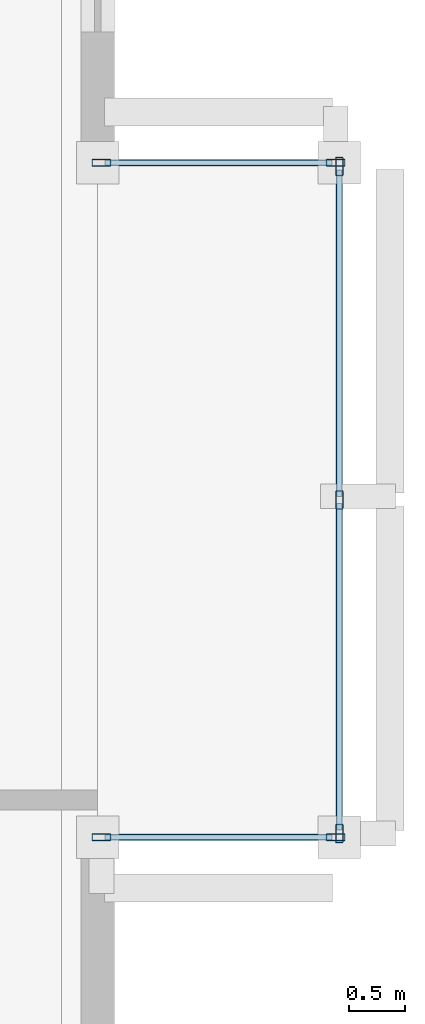
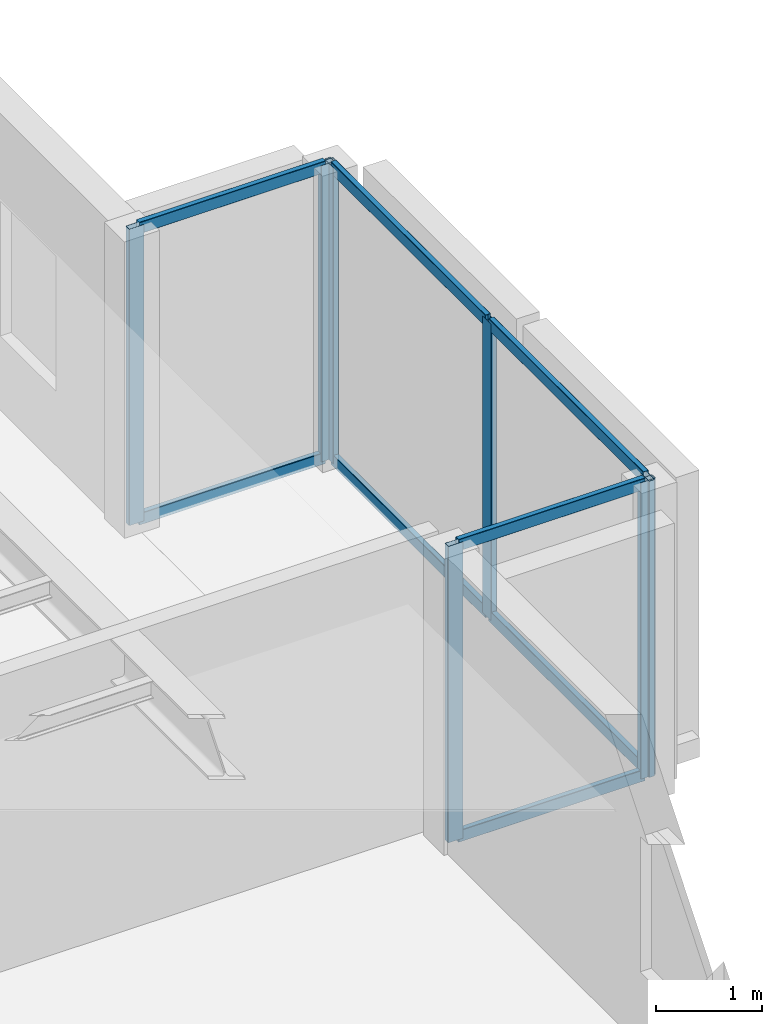
# One storey, part 6 of 16: 15 members, 3 elements without a shape of their own.
"""IFC4 building model written with IfcOpenShell, lengths in metres."""

from ifc_helpers import new_model, si_unit, direction, frame, origin, origin_2d, place, context, subcontext, project, spatial, hollow_rectangle, extrude, material, layer, layer_set, material_profile, profile_set, type_object, element, aggregate, save


model = new_model("IFC4")

# Units and contexts
model_context = context("Model", 3, precision=1e-05, world=origin(), true_north=direction((0.0, 1.0)))
body_context = subcontext(model_context, "Body", "Model", "MODEL_VIEW")
ifc_project = project(units=[si_unit("LENGTHUNIT", "METRE"), si_unit("AREAUNIT", "SQUARE_METRE"), si_unit("VOLUMEUNIT", "CUBIC_METRE"), si_unit("PLANEANGLEUNIT", "RADIAN"), si_unit("MASSUNIT", "GRAM", prefix="KILO")], contexts=[model_context])

# Site, building, storey
site_placement = place(None, origin())
site = spatial("IfcSite", under=ifc_project, at=site_placement, CompositionType="ELEMENT")
building_placement = place(site_placement, origin())
building = spatial("IfcBuilding", under=site, at=building_placement, Name="An Khanh Terracotta Commons", CompositionType="ELEMENT")
storey_placement = place(building_placement, frame((0.0, 0.0, 46.800048828125)))
storey = spatial("IfcBuildingStorey", under=building, at=storey_placement, Name="L12", CompositionType="ELEMENT", Elevation=46.800048828125)

# Curtain wall, members
ifc_material = material(Name="Anodised Aluminium 6063-T6", Category="aluminium")
ifc_layer = layer(ifc_material, 0.239990234375, Name="Anodised Aluminium 6063-T6")
ifc_layer_set = layer_set([ifc_layer], Name="Anodised Aluminium 6063-T6")
curtain_wall_type = type_object("IfcCurtainWallType", Name="CW-SYS-04", PredefinedType="USERDEFINED", material=ifc_layer_set)
curtain_wall_1_placement = place(storey_placement, origin())
curtain_wall_1 = element("IfcCurtainWall", 1, at=curtain_wall_1_placement, inside=storey, type_object=curtain_wall_type, Name="L12 CW-04 Unitised Curtain Wall CW-L12-EBOX-1", ObjectType="UNITISED CURTAIN WALL", PredefinedType="USERDEFINED")
ifc_material_profile_1 = material_profile(ifc_material, hollow_rectangle(XDim=0.06494140625, YDim=0.1650390625, WallThickness=0.00390625, InnerFilletRadius=0.00390625, OuterFilletRadius=0.008056640625, at=origin_2d()), Name="RHS165x65x4")
ifc_profile_set_1 = profile_set([ifc_material_profile_1], Name="Anodised Aluminium 6063-T6")
member_type_1 = type_object("IfcMemberType", Name="CWM-RHS165x65x4", PredefinedType="MULLION", material=ifc_profile_set_1)
member_1_placement = place(storey_placement, frame((53.75, 22.632568359375, 0.0), z_axis=(0.0, 0.0, 1.0), x_axis=(-1.0, 0.0, 0.0)))
member_1 = element("IfcMember", 2, at=member_1_placement, type_object=member_type_1, Name="CW-04 mullion 1", PredefinedType="MULLION", context=body_context, shape_type="SweptSolid", body=[
    extrude(hollow_rectangle(XDim=0.06494140625, YDim=0.1650390625, WallThickness=0.00390625, InnerFilletRadius=0.00390625, OuterFilletRadius=0.008056640625, at=origin_2d()), origin(), (0.0, 0.0, 1.0), 3.39990234375),
])
member_2_placement = place(storey_placement, frame((53.75, 25.60009765625, 0.0), z_axis=(0.0, 0.0, 1.0), x_axis=(-1.0, 0.0, 0.0)))
member_2 = element("IfcMember", 3, at=member_2_placement, type_object=member_type_1, Name="CW-04 mullion 2", PredefinedType="MULLION", context=body_context, shape_type="SweptSolid", body=[
    extrude(hollow_rectangle(XDim=0.06494140625, YDim=0.1650390625, WallThickness=0.00390625, InnerFilletRadius=0.00390625, OuterFilletRadius=0.008056640625, at=origin_2d()), origin(), (0.0, 0.0, 1.0), 3.39990234375),
])
member_3_placement = place(storey_placement, frame((53.75, 28.5673828125, 0.0), z_axis=(0.0, 0.0, 1.0), x_axis=(-1.0, 0.0, 0.0)))
member_3 = element("IfcMember", 4, at=member_3_placement, type_object=member_type_1, Name="CW-04 mullion 3", PredefinedType="MULLION", context=body_context, shape_type="SweptSolid", body=[
    extrude(hollow_rectangle(XDim=0.06494140625, YDim=0.1650390625, WallThickness=0.00390625, InnerFilletRadius=0.00390625, OuterFilletRadius=0.008056640625, at=origin_2d()), origin(), (0.0, 0.0, 1.0), 3.39990234375),
])

curtain_wall_2_placement = place(storey_placement, origin())
curtain_wall_2 = element("IfcCurtainWall", 5, at=curtain_wall_2_placement, inside=storey, type_object=curtain_wall_type, Name="L12 CW-04 Unitised Curtain Wall CW-L12-EBOX-2", ObjectType="UNITISED CURTAIN WALL", PredefinedType="USERDEFINED")
member_4_placement = place(storey_placement, frame((51.632568359375, 22.60009765625, 0.0), z_axis=(0.0, 0.0, 1.0), x_axis=(0.0, 1.0, 0.0)))
member_4 = element("IfcMember", 6, at=member_4_placement, type_object=member_type_1, Name="CW-04 mullion 1", PredefinedType="MULLION", context=body_context, shape_type="SweptSolid", body=[
    extrude(hollow_rectangle(XDim=0.06494140625, YDim=0.1650390625, WallThickness=0.00390625, InnerFilletRadius=0.00390625, OuterFilletRadius=0.008056640625, at=origin_2d()), origin(), (0.0, 0.0, 1.0), 3.39990234375),
])
member_5_placement = place(storey_placement, frame((53.717529296875, 22.60009765625, 0.0), z_axis=(0.0, 0.0, 1.0), x_axis=(0.0, 1.0, 0.0)))
member_5 = element("IfcMember", 7, at=member_5_placement, type_object=member_type_1, Name="CW-04 mullion 2", PredefinedType="MULLION", context=body_context, shape_type="SweptSolid", body=[
    extrude(hollow_rectangle(XDim=0.06494140625, YDim=0.1650390625, WallThickness=0.00390625, InnerFilletRadius=0.00390625, OuterFilletRadius=0.008056640625, at=origin_2d()), origin(), (0.0, 0.0, 1.0), 3.39990234375),
])

curtain_wall_3_placement = place(storey_placement, origin())
curtain_wall_3 = element("IfcCurtainWall", 8, at=curtain_wall_3_placement, inside=storey, type_object=curtain_wall_type, Name="L12 CW-04 Unitised Curtain Wall CW-L12-EBOX-3", ObjectType="UNITISED CURTAIN WALL", PredefinedType="USERDEFINED")
member_6_placement = place(storey_placement, frame((53.717529296875, 28.60009765625, 0.0), z_axis=(0.0, 0.0, 1.0), x_axis=(0.0, -1.0, 0.0)))
member_6 = element("IfcMember", 9, at=member_6_placement, type_object=member_type_1, Name="CW-04 mullion 1", PredefinedType="MULLION", context=body_context, shape_type="SweptSolid", body=[
    extrude(hollow_rectangle(XDim=0.06494140625, YDim=0.1650390625, WallThickness=0.00390625, InnerFilletRadius=0.00390625, OuterFilletRadius=0.008056640625, at=origin_2d()), origin(), (0.0, 0.0, 1.0), 3.39990234375),
])
member_7_placement = place(storey_placement, frame((51.632568359375, 28.60009765625, 0.0), z_axis=(0.0, 0.0, 1.0), x_axis=(0.0, -1.0, 0.0)))
member_7 = element("IfcMember", 10, at=member_7_placement, type_object=member_type_1, Name="CW-04 mullion 2", PredefinedType="MULLION", context=body_context, shape_type="SweptSolid", body=[
    extrude(hollow_rectangle(XDim=0.06494140625, YDim=0.1650390625, WallThickness=0.00390625, InnerFilletRadius=0.00390625, OuterFilletRadius=0.008056640625, at=origin_2d()), origin(), (0.0, 0.0, 1.0), 3.39990234375),
])

# Member
ifc_material_profile_2 = material_profile(ifc_material, hollow_rectangle(XDim=0.06005859375, YDim=0.135009765625, WallThickness=0.003662109375, InnerFilletRadius=0.003662109375, OuterFilletRadius=0.007080078125, at=origin_2d()), Name="RHS135x60x3.6")
ifc_profile_set_2 = profile_set([ifc_material_profile_2], Name="Anodised Aluminium 6063-T6")
member_type_2 = type_object("IfcMemberType", Name="CWT-RHS135x60x3.6", PredefinedType="USERDEFINED", material=ifc_profile_set_2)
member_8_placement = place(storey_placement, frame((53.75, 22.6650390625, 0.030029296875), z_axis=(0.0, 1.0, 0.0), x_axis=(-1.0, 0.0, 0.0)))
member_8 = element("IfcMember", 11, at=member_8_placement, type_object=member_type_2, Name="CW-04 transom 1.1", ObjectType="TRANSOM", PredefinedType="USERDEFINED", context=body_context, shape_type="SweptSolid", body=[
    extrude(hollow_rectangle(XDim=0.06005859375, YDim=0.135009765625, WallThickness=0.003662109375, InnerFilletRadius=0.003662109375, OuterFilletRadius=0.007080078125, at=origin_2d()), origin(), (0.0, 0.0, 1.0), 2.90234375),
])

member_9_placement = place(storey_placement, frame((53.75, 22.6650390625, 3.369873046875), z_axis=(0.0, 1.0, 0.0), x_axis=(-1.0, 0.0, 0.0)))
member_9 = element("IfcMember", 12, at=member_9_placement, type_object=member_type_2, Name="CW-04 transom 1.2", ObjectType="TRANSOM", PredefinedType="USERDEFINED", context=body_context, shape_type="SweptSolid", body=[
    extrude(hollow_rectangle(XDim=0.06005859375, YDim=0.135009765625, WallThickness=0.003662109375, InnerFilletRadius=0.003662109375, OuterFilletRadius=0.007080078125, at=origin_2d()), origin(), (0.0, 0.0, 1.0), 2.90234375),
])

member_10_placement = place(storey_placement, frame((53.75, 25.632568359375, 0.030029296875), z_axis=(0.0, 1.0, 0.0), x_axis=(-1.0, 0.0, 0.0)))
member_10 = element("IfcMember", 13, at=member_10_placement, type_object=member_type_2, Name="CW-04 transom 2.1", ObjectType="TRANSOM", PredefinedType="USERDEFINED", context=body_context, shape_type="SweptSolid", body=[
    extrude(hollow_rectangle(XDim=0.06005859375, YDim=0.135009765625, WallThickness=0.003662109375, InnerFilletRadius=0.003662109375, OuterFilletRadius=0.007080078125, at=origin_2d()), origin(), (0.0, 0.0, 1.0), 2.90234375),
])

member_11_placement = place(storey_placement, frame((53.75, 25.632568359375, 3.369873046875), z_axis=(0.0, 1.0, 0.0), x_axis=(-1.0, 0.0, 0.0)))
member_11 = element("IfcMember", 14, at=member_11_placement, type_object=member_type_2, Name="CW-04 transom 2.2", ObjectType="TRANSOM", PredefinedType="USERDEFINED", context=body_context, shape_type="SweptSolid", body=[
    extrude(hollow_rectangle(XDim=0.06005859375, YDim=0.135009765625, WallThickness=0.003662109375, InnerFilletRadius=0.003662109375, OuterFilletRadius=0.007080078125, at=origin_2d()), origin(), (0.0, 0.0, 1.0), 2.90234375),
])

aggregate(curtain_wall_1, [member_1, member_2, member_3, member_8, member_9, member_10, member_11])

member_12_placement = place(storey_placement, frame((51.6650390625, 22.60009765625, 0.030029296875), z_axis=(1.0, 0.0, 0.0), x_axis=(0.0, 1.0, 0.0)))
member_12 = element("IfcMember", 15, at=member_12_placement, type_object=member_type_2, Name="CW-04 transom 1.1", ObjectType="TRANSOM", PredefinedType="USERDEFINED", context=body_context, shape_type="SweptSolid", body=[
    extrude(hollow_rectangle(XDim=0.06005859375, YDim=0.135009765625, WallThickness=0.003662109375, InnerFilletRadius=0.003662109375, OuterFilletRadius=0.007080078125, at=origin_2d()), origin(), (0.0, 0.0, 1.0), 2.02001953125),
])

member_13_placement = place(storey_placement, frame((51.6650390625, 22.60009765625, 3.369873046875), z_axis=(1.0, 0.0, 0.0), x_axis=(0.0, 1.0, 0.0)))
member_13 = element("IfcMember", 16, at=member_13_placement, type_object=member_type_2, Name="CW-04 transom 1.2", ObjectType="TRANSOM", PredefinedType="USERDEFINED", context=body_context, shape_type="SweptSolid", body=[
    extrude(hollow_rectangle(XDim=0.06005859375, YDim=0.135009765625, WallThickness=0.003662109375, InnerFilletRadius=0.003662109375, OuterFilletRadius=0.007080078125, at=origin_2d()), origin(), (0.0, 0.0, 1.0), 2.02001953125),
])

aggregate(curtain_wall_2, [member_4, member_5, member_12, member_13])

member_14_placement = place(storey_placement, frame((53.68505859375, 28.60009765625, 0.030029296875), z_axis=(-1.0, 0.0, 0.0), x_axis=(0.0, -1.0, 0.0)))
member_14 = element("IfcMember", 17, at=member_14_placement, type_object=member_type_2, Name="CW-04 transom 1.1", ObjectType="TRANSOM", PredefinedType="USERDEFINED", context=body_context, shape_type="SweptSolid", body=[
    extrude(hollow_rectangle(XDim=0.06005859375, YDim=0.135009765625, WallThickness=0.003662109375, InnerFilletRadius=0.003662109375, OuterFilletRadius=0.007080078125, at=origin_2d()), origin(), (0.0, 0.0, 1.0), 2.02001953125),
])

member_15_placement = place(storey_placement, frame((53.68505859375, 28.60009765625, 3.369873046875), z_axis=(-1.0, 0.0, 0.0), x_axis=(0.0, -1.0, 0.0)))
member_15 = element("IfcMember", 18, at=member_15_placement, type_object=member_type_2, Name="CW-04 transom 1.2", ObjectType="TRANSOM", PredefinedType="USERDEFINED", context=body_context, shape_type="SweptSolid", body=[
    extrude(hollow_rectangle(XDim=0.06005859375, YDim=0.135009765625, WallThickness=0.003662109375, InnerFilletRadius=0.003662109375, OuterFilletRadius=0.007080078125, at=origin_2d()), origin(), (0.0, 0.0, 1.0), 2.02001953125),
])

aggregate(curtain_wall_3, [member_6, member_7, member_14, member_15])

save(model, "model.ifc")
